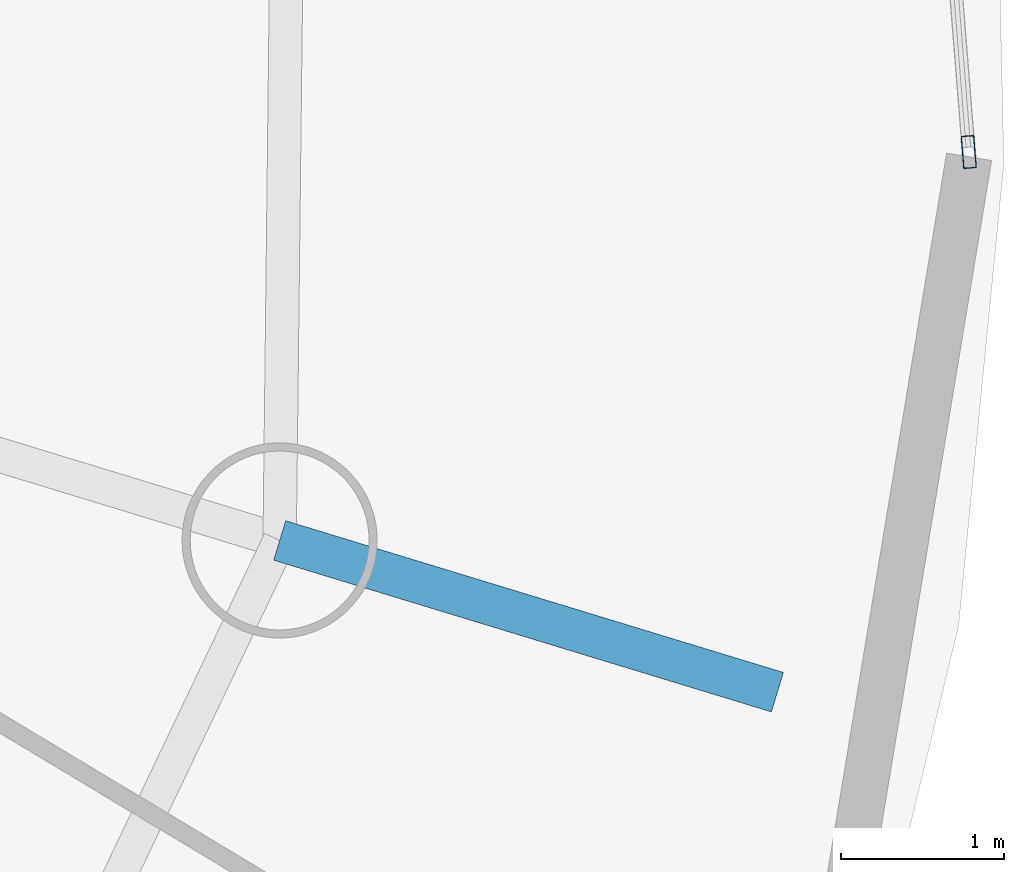
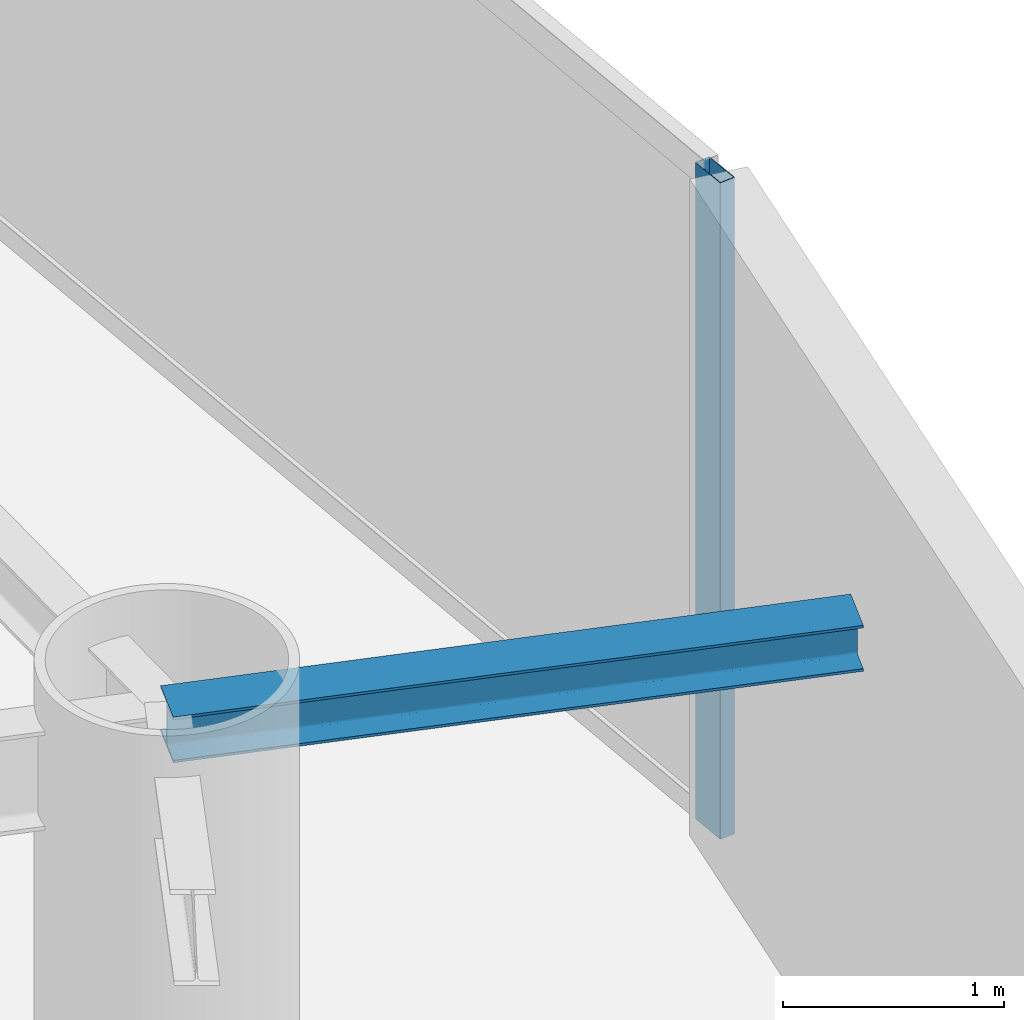
# One storey, part 7 of 21: 1 beam, 1 member, 1 element without a shape of its own.
"""IFC4 building model written with IfcOpenShell, lengths in metres."""

from ifc_helpers import new_model, si_unit, direction, frame, origin, origin_2d, place, context, subcontext, project, spatial, hollow_rectangle, i_section, extrude, material, layer, layer_set, material_profile, profile_set, type_object, element, aggregate, save


model = new_model("IFC4")

# Units and contexts
model_context = context("Model", 3, precision=1e-05, world=origin(), true_north=direction((0.0, 1.0)))
body_context = subcontext(model_context, "Body", "Model", "MODEL_VIEW")
ifc_project = project(units=[si_unit("LENGTHUNIT", "METRE"), si_unit("AREAUNIT", "SQUARE_METRE"), si_unit("VOLUMEUNIT", "CUBIC_METRE"), si_unit("PLANEANGLEUNIT", "RADIAN"), si_unit("MASSUNIT", "GRAM", prefix="KILO")], contexts=[model_context])

# Site, building, storey
site_placement = place(None, origin())
site = spatial("IfcSite", under=ifc_project, at=site_placement, CompositionType="ELEMENT")
building_placement = place(site_placement, origin())
building = spatial("IfcBuilding", under=site, at=building_placement, Name="Bramvorn Convention Spire", CompositionType="ELEMENT")
storey_placement = place(building_placement, frame((0.0, 0.0, 186.60009765625)))
storey = spatial("IfcBuildingStorey", under=building, at=storey_placement, Name="L47", CompositionType="ELEMENT", Elevation=186.60009765625)

# Beam
ifc_material_1 = material(Name="Steel CSA G40.21 Grade 350 (350W)", Category="steel")
ifc_material_profile_1 = material_profile(ifc_material_1, i_section(OverallWidth=0.25390625, OverallDepth=0.2529296875, WebThickness=0.008544921875, FlangeThickness=0.01416015625, FilletRadius=0.011962890625, at=origin_2d()))
ifc_profile_set_1 = profile_set([ifc_material_profile_1], Name="Steel CSA G40.21 Grade 350 (350W) - W250X73")
beam_type = type_object("IfcBeamType", Name="BM-W250X73", PredefinedType="BEAM", material=ifc_profile_set_1)
beam_placement = place(storey_placement, frame((58.863037109375, 15.619384765625, 3.493408203125), z_axis=(0.956544433432, -0.291586602694, 0.0), x_axis=(0.291586602694, 0.956544433432, 0.0)))
element("IfcBeam", 1, at=beam_placement, inside=storey, type_object=beam_type, Name="L47 slab-edge cantilever tip beam MC02", PredefinedType="BEAM", context=body_context, shape_type="SweptSolid", body=[
    extrude(i_section(OverallWidth=0.25390625, OverallDepth=0.2529296875, WebThickness=0.008544921875, FlangeThickness=0.01416015625, FilletRadius=0.011962890625, at=origin_2d()), origin(), (0.0, 0.0, 1.0), 3.2001953125),
])

# Curtain wall, member
ifc_material_2 = material(Name="Anodised Bronze Unitised Curtain Wall", Category="aluminium")
ifc_layer = layer(ifc_material_2, 0.179931640625)
ifc_layer_set = layer_set([ifc_layer], Name="Anodised Bronze Unitised Curtain Wall - CW-OFF-FRIT")
curtain_wall_type = type_object("IfcCurtainWallType", Name="CW-OFF-FRIT", PredefinedType="USERDEFINED", material=ifc_layer_set)
curtain_wall_placement = place(storey_placement, origin())
curtain_wall = element("IfcCurtainWall", 2, at=curtain_wall_placement, inside=storey, type_object=curtain_wall_type, Name="L47 fritted glass curtain wall 03", ObjectType="UNITISED CURTAIN WALL", PredefinedType="USERDEFINED")
ifc_material_3 = material(Name="Anodised Bronze Aluminium 6063-T6", Category="aluminium")
ifc_material_profile_2 = material_profile(ifc_material_3, hollow_rectangle(XDim=0.080078125, YDim=0.199951171875, WallThickness=0.00390625, InnerFilletRadius=0.0009765625, OuterFilletRadius=0.00390625, at=origin_2d()))
ifc_profile_set_2 = profile_set([ifc_material_profile_2], Name="Anodised Bronze Aluminium 6063-T6 - CWM80X200")
member_type = type_object("IfcMemberType", Name="CW-MUL-180", PredefinedType="MULLION", material=ifc_profile_set_2)
member_placement = place(storey_placement, frame((63.100830078125, 18.00830078125, 0.0), z_axis=(0.0, 0.0, 1.0), x_axis=(0.996819362671, 0.079694154146, 0.0)))
member = element("IfcMember", 3, at=member_placement, type_object=member_type, Name="CW3 mullion 2", PredefinedType="MULLION", context=body_context, shape_type="SweptSolid", body=[
    extrude(hollow_rectangle(XDim=0.080078125, YDim=0.199951171875, WallThickness=0.00390625, InnerFilletRadius=0.0009765625, OuterFilletRadius=0.00390625, at=origin_2d()), origin(), (0.0, 0.0, 1.0), 3.619873046875),
])
aggregate(curtain_wall, [member])

save(model, "model.ifc")
